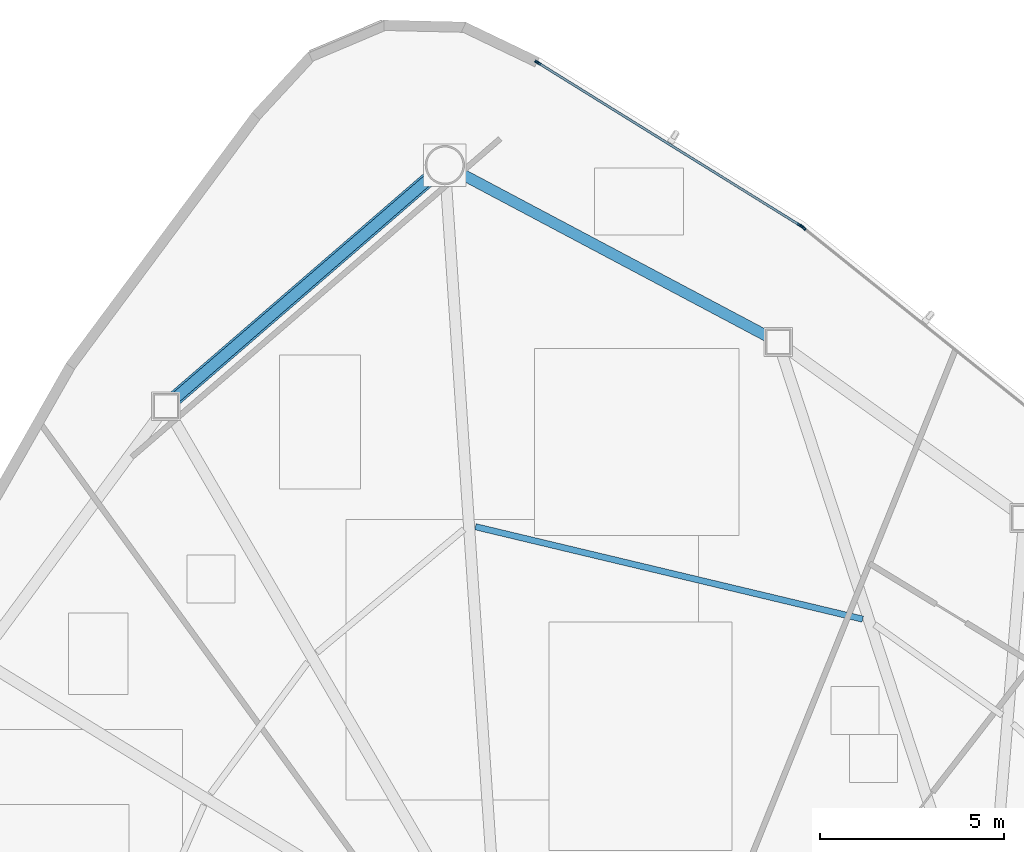
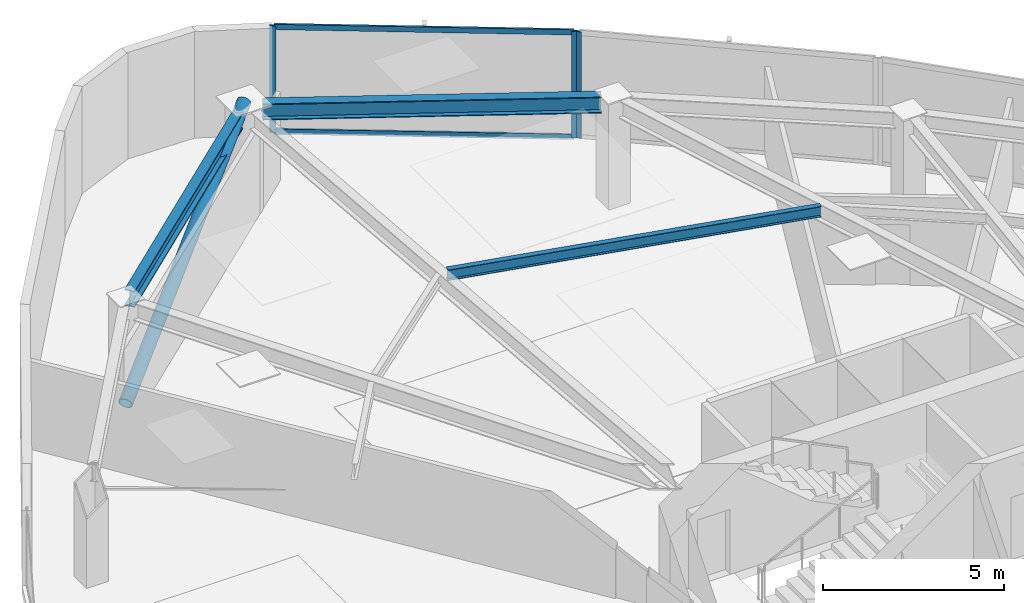
# One storey, part 8 of 17: 6 members, 3 beams, 2 elements without a shape of their own.
"""IFC4 building model written with IfcOpenShell, lengths in metres."""

from ifc_helpers import new_model, si_unit, direction, frame, origin, origin_2d, place, context, subcontext, project, spatial, hollow_rectangle, hollow_circle, i_section, extrude, source, transform, mapped, material, layer, layer_set, material_profile, profile_set, type_object, type_shapes, element, aggregate, save


model = new_model("IFC4")

# Units and contexts
model_context = context("Model", 3, precision=1e-05, world=origin(), true_north=direction((0.0, 1.0)))
body_context = subcontext(model_context, "Body", "Model", "MODEL_VIEW")
ifc_project = project(units=[si_unit("LENGTHUNIT", "METRE"), si_unit("AREAUNIT", "SQUARE_METRE"), si_unit("VOLUMEUNIT", "CUBIC_METRE"), si_unit("PLANEANGLEUNIT", "RADIAN"), si_unit("MASSUNIT", "GRAM", prefix="KILO")], contexts=[model_context])

# Site, building, storey
site_placement = place(None, origin())
site = spatial("IfcSite", under=ifc_project, at=site_placement, CompositionType="ELEMENT")
building_placement = place(site_placement, origin())
building = spatial("IfcBuilding", under=site, at=building_placement, Name="Tavelor Broadcast Tower", CompositionType="ELEMENT")
storey_placement = place(building_placement, frame((0.0, 0.0, 70.5)))
storey = spatial("IfcBuildingStorey", under=building, at=storey_placement, Name="L16", CompositionType="ELEMENT", Elevation=70.5)

# Beams
ifc_material_1 = material(Name="Steel S355", Category="steel")
ifc_material_profile_1 = material_profile(ifc_material_1, i_section(OverallWidth=0.169921875, OverallDepth=0.360107421875, WebThickness=0.008056640625, FlangeThickness=0.0126953125, at=origin_2d()), Name="IPE 360")
ifc_profile_set_1 = profile_set([ifc_material_profile_1], Name="Steel S355")
beam_type_1 = type_object("IfcBeamType", Name="Composite Floor Joist T2 IPE 360", PredefinedType="JOIST", material=ifc_profile_set_1)
beam_1_placement = place(storey_placement, frame((53.252685546875, 60.954345703125, 3.419921875), z_axis=(-0.97267356202, 0.232176962139, 0.0), x_axis=(-0.232176962139, -0.97267356202, 0.0)))
element("IfcBeam", 1, at=beam_1_placement, inside=storey, type_object=beam_type_1, Name="L16 Secondary Composite Floor Joist 18", PredefinedType="JOIST", context=body_context, shape_type="SweptSolid", body=[
    extrude(i_section(OverallWidth=0.169921875, OverallDepth=0.360107421875, WebThickness=0.008056640625, FlangeThickness=0.0126953125, at=origin_2d()), origin(), (0.0, 0.0, 1.0), 10.794921875),
])
ifc_material_profile_2 = material_profile(ifc_material_1, i_section(OverallWidth=0.300048828125, OverallDepth=0.550048828125, WebThickness=0.014892578125, FlangeThickness=0.029052734375, at=origin_2d()), Name="HEB 550")
ifc_profile_set_2 = profile_set([ifc_material_profile_2], Name="Steel S355")
beam_type_2 = type_object("IfcBeamType", Name="Perimeter Spandrel Beam T2 HEB 550", PredefinedType="SPANDREL", material=ifc_profile_set_2)
beam_2_placement = place(storey_placement, frame((41.535400390625, 72.931396484375, 3.324951171875), z_axis=(-0.756652037371, -0.653817783746, 0.0), x_axis=(0.653817783746, -0.756652037371, 0.0)))
element("IfcBeam", 2, at=beam_2_placement, inside=storey, type_object=beam_type_2, Name="L16 Framed-Tube Ring Spandrel 01", PredefinedType="SPANDREL", context=body_context, shape_type="SweptSolid", body=[
    extrude(i_section(OverallWidth=0.300048828125, OverallDepth=0.550048828125, WebThickness=0.014892578125, FlangeThickness=0.029052734375, at=origin_2d()), origin(), (0.0, 0.0, 1.0), 9.15234375),
])
beam_3_placement = place(storey_placement, frame((50.6650390625, 68.626220703125, 3.324951171875), z_axis=(-0.883288784051, 0.468829312192, 0.0), x_axis=(-0.468829312192, -0.883288784051, 0.0)))
element("IfcBeam", 3, at=beam_3_placement, inside=storey, type_object=beam_type_2, Name="L16 Framed-Tube Ring Spandrel 18", PredefinedType="SPANDREL", context=body_context, shape_type="SweptSolid", body=[
    extrude(i_section(OverallWidth=0.300048828125, OverallDepth=0.550048828125, WebThickness=0.014892578125, FlangeThickness=0.029052734375, at=origin_2d()), origin(), (0.0, 0.0, 1.0), 9.384765625),
])

# Member
ifc_material_profile_3 = material_profile(ifc_material_1, hollow_circle(Radius=0.203125, WallThickness=0.02001953125, at=origin_2d()), Name="CHS 406.4x20")
ifc_profile_set_3 = profile_set([ifc_material_profile_3], Name="Steel S355")
member_type_1 = type_object("IfcMemberType", Name="Perimeter Tube Brace T2 CHS 406.4x20", PredefinedType="BRACE", material=ifc_profile_set_3)
member_1_placement = place(storey_placement, frame((34.356201171875, 66.727783203125, 0.0), z_axis=(0.711923189295, 0.615174771108, 0.338711342497), x_axis=(-0.653821967179, 0.756648422475, 0.0)))
element("IfcMember", 4, at=member_1_placement, inside=storey, type_object=member_type_1, Name="L16 Corner Tube Diagonal Brace 1", PredefinedType="BRACE", context=body_context, shape_type="SweptSolid", body=[
    extrude(hollow_circle(Radius=0.203125, WallThickness=0.02001953125, at=origin_2d()), origin(), (0.0, 0.0, 1.0), 10.62890625),
])

# Curtain wall, member
ifc_material_2 = material(Name="Architectural Anodized Aluminium", Category="aluminium")
ifc_layer = layer(ifc_material_2, 0.179931640625)
ifc_layer_set = layer_set([ifc_layer], Name="Architectural Anodized Aluminium")
curtain_wall_type = type_object("IfcCurtainWallType", Name="Tower Low-Zone Unitised Curtain Wall CW02", PredefinedType="NOTDEFINED", material=ifc_layer_set)
curtain_wall_1_placement = place(storey_placement, origin())
curtain_wall_1 = element("IfcCurtainWall", 5, at=curtain_wall_1_placement, inside=storey, type_object=curtain_wall_type, Name="L16 Curtain Wall CW02 Run 155", PredefinedType="NOTDEFINED")
ifc_material_profile_4 = material_profile(ifc_material_2, hollow_rectangle(XDim=0.06494140625, YDim=0.179931640625, WallThickness=0.02197265625, at=origin_2d()), Name="RHS 65x180x22")
ifc_profile_set_4 = profile_set([ifc_material_profile_4], Name="Architectural Anodized Aluminium")
member_type_2 = type_object("IfcMemberType", Name="CW02 Extruded Aluminium Mullion 65x180", PredefinedType="MULLION", material=ifc_profile_set_4)
shared_shape_1 = source(origin(), body_context, "Body", "SweptSolid", [
    extrude(hollow_rectangle(XDim=0.06494140625, YDim=0.179931640625, WallThickness=0.02197265625, at=origin_2d()), origin(), (0.0, 0.0, 1.0), 3.60009765625),
])
type_shapes(member_type_2, [shared_shape_1])
member_2_placement = place(storey_placement, frame((51.635498046875, 71.57421875, 0.0), z_axis=(0.0, 0.0, 1.0), x_axis=(-0.626255379364, -0.779617983257, 0.0)))
member_2 = element("IfcMember", 6, at=member_2_placement, type_object=member_type_2, Name="CW02 mullion 2", PredefinedType="MULLION", context=body_context, shape_type="MappedRepresentation", body=[
    mapped(shared_shape_1, transform((0.0, 0.0, 0.0), scale=1.0)),
])
aggregate(curtain_wall_1, [member_2])

# Curtain wall, members
curtain_wall_2_placement = place(storey_placement, origin())
curtain_wall_2 = element("IfcCurtainWall", 7, at=curtain_wall_2_placement, inside=storey, type_object=curtain_wall_type, Name="L16 Curtain Wall CW02 Run 156", PredefinedType="NOTDEFINED")
member_3_placement = place(storey_placement, frame((51.55810546875, 71.62890625, 0.0), z_axis=(0.0, 0.0, 1.0), x_axis=(-0.527311804432, -0.84967185484, 0.0)))
member_3 = element("IfcMember", 8, at=member_3_placement, type_object=member_type_2, Name="CW02 mullion 1", PredefinedType="MULLION", context=body_context, shape_type="MappedRepresentation", body=[
    mapped(shared_shape_1, transform((0.0, 0.0, 0.0), scale=1.0)),
])
member_4_placement = place(storey_placement, frame((44.446533203125, 76.04248046875, 0.0), z_axis=(0.0, 0.0, 1.0), x_axis=(-0.527311804432, -0.84967185484, 0.0)))
member_4 = element("IfcMember", 9, at=member_4_placement, type_object=member_type_2, Name="CW02 mullion 2", PredefinedType="MULLION", context=body_context, shape_type="MappedRepresentation", body=[
    mapped(shared_shape_1, transform((0.0, 0.0, 0.0), scale=1.0)),
])
ifc_material_profile_5 = material_profile(ifc_material_2, hollow_rectangle(XDim=0.06494140625, YDim=0.179931640625, WallThickness=0.02197265625, at=origin_2d()), Name="RHS 65x180x22")
ifc_profile_set_5 = profile_set([ifc_material_profile_5], Name="Architectural Anodized Aluminium")
member_type_3 = type_object("IfcMemberType", Name="CW02 Extruded Aluminium Transom 65x180", PredefinedType="USERDEFINED", material=ifc_profile_set_5)
shared_shape_2 = source(origin(), body_context, "Body", "SweptSolid", [
    extrude(hollow_rectangle(XDim=0.06494140625, YDim=0.179931640625, WallThickness=0.02197265625, at=origin_2d()), origin(), (0.0, 0.0, 1.0), 8.3046875),
])
type_shapes(member_type_3, [shared_shape_2])
member_5_placement = place(storey_placement, frame((51.530517578125, 71.64599609375, 0.032470703125), z_axis=(-0.849676955209, 0.52730358598, 0.0), x_axis=(-0.52730358598, -0.849676955209, 0.0)))
member_5 = element("IfcMember", 10, at=member_5_placement, type_object=member_type_3, Name="CW02 transom 1.1", ObjectType="TRANSOM", PredefinedType="USERDEFINED", context=body_context, shape_type="MappedRepresentation", body=[
    mapped(shared_shape_2, transform((0.0, 0.0, 0.0), scale=1.0)),
])
member_6_placement = place(storey_placement, frame((51.530517578125, 71.64599609375, 3.5673828125), z_axis=(-0.849676955209, 0.52730358598, 0.0), x_axis=(-0.52730358598, -0.849676955209, 0.0)))
member_6 = element("IfcMember", 11, at=member_6_placement, type_object=member_type_3, Name="CW02 transom 1.2", ObjectType="TRANSOM", PredefinedType="USERDEFINED", context=body_context, shape_type="MappedRepresentation", body=[
    mapped(shared_shape_2, transform((0.0, 0.0, 0.0), scale=1.0)),
])
aggregate(curtain_wall_2, [member_3, member_4, member_5, member_6])

save(model, "model.ifc")
